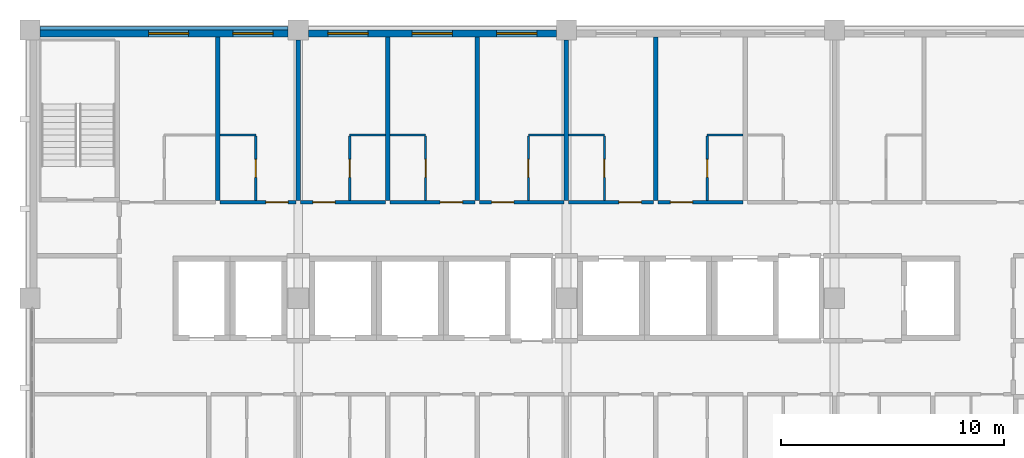
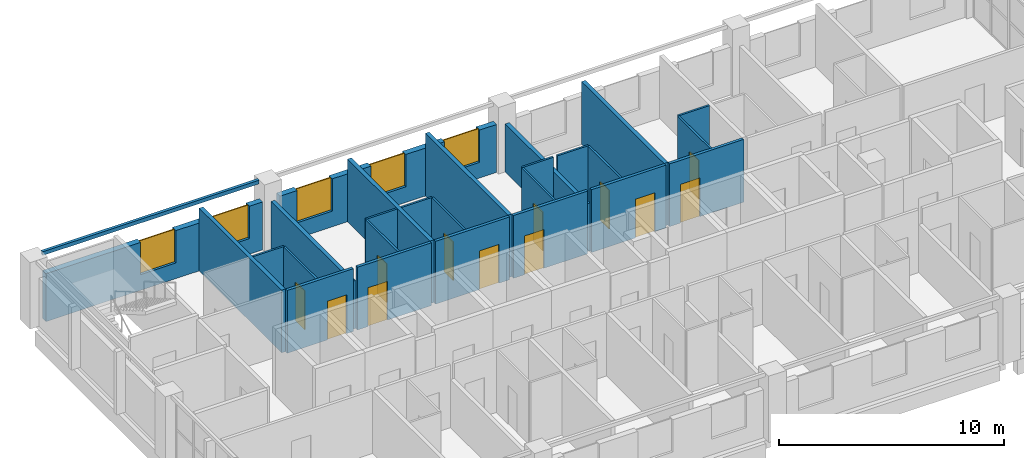
# One storey, part 8 of 11: 27 walls, 12 doors, 5 windows, 17 openings.
"""IFC4 building model written with IfcOpenShell, lengths in metres."""

from ifc_helpers import new_model, si_unit, direction, frame, frame_2d, origin, place, context, subcontext, project, spatial, rectangle, extrude, material, layer, layer_set, type_object, element, fill, save


model = new_model("IFC4")

# Units and contexts
model_context = context("Model", 3, precision=1e-05, world=origin(), true_north=direction((0.0, 1.0)))
body_context = subcontext(model_context, "Body", "Model", "MODEL_VIEW")
ifc_project = project(units=[si_unit("LENGTHUNIT", "METRE"), si_unit("AREAUNIT", "SQUARE_METRE"), si_unit("VOLUMEUNIT", "CUBIC_METRE"), si_unit("PLANEANGLEUNIT", "RADIAN"), si_unit("MASSUNIT", "GRAM", prefix="KILO")], contexts=[model_context])

# Site, building, storey
site_placement = place(None, origin())
site = spatial("IfcSite", under=ifc_project, at=site_placement, CompositionType="ELEMENT")
building_placement = place(site_placement, origin())
building = spatial("IfcBuilding", under=site, at=building_placement, Name="Lilac Gate Convention Centre", CompositionType="ELEMENT")
storey_placement = place(building_placement, frame((0.0, 0.0, 24.60009765625)))
storey = spatial("IfcBuildingStorey", under=building, at=storey_placement, Name="L05", CompositionType="ELEMENT", Elevation=24.60009765625)

# Wall, opening, door
ifc_material_1 = material(Name="Gypsum board on steel stud", Category="steel")
ifc_layer_1 = layer(ifc_material_1, 0.14990234375)
ifc_layer_set_1 = layer_set([ifc_layer_1], Name="Gypsum board on steel stud")
wall_type_1 = type_object("IfcWallType", Name="Corridor wall 150", PredefinedType="PARTITIONING", material=ifc_layer_set_1)
wall_1_placement = place(storey_placement, frame((50.5, 238.300048828125, 0.0), z_axis=(0.0, 0.0, 1.0), x_axis=(1.0, 0.0, 0.0)))
wall_1 = element("IfcWall", 1, at=wall_1_placement, inside=storey, type_object=wall_type_1, Name="Corridor wall 150 front 0512", PredefinedType="PARTITIONING", context=body_context, shape_type="SweptSolid", body=[
    extrude(rectangle(XDim=3.39990234375, YDim=0.14990234375, at=frame_2d((1.699951171875, 0.0))), origin(), (0.0, 0.0, 1.0), 3.39990234375),
])
opening_1_placement = place(wall_1_placement, frame((2.050048828125, 0.0, 0.0)))
opening_1 = element("IfcOpeningElement", 2, at=opening_1_placement, cuts=wall_1, Name="Opening T04-029", PredefinedType="OPENING", context=body_context, shape_type="SweptSolid", body=[
    extrude(rectangle(XDim=1.0, YDim=2.10009765625, at=frame_2d((0.5, 1.050048828125))), frame((0.0, 0.0849609375, 0.0), z_axis=(0.0, -1.0, 0.0), x_axis=(1.0, 0.0, 0.0)), (0.0, 0.0, 1.0), 0.169921875),
])
ifc_material_2 = material(Name="Timber", Category="wood")
door_type_1 = type_object("IfcDoorType", Name="Guest room entrance door 1000", OperationType="SINGLE_SWING_LEFT", PredefinedType="DOOR", material=ifc_material_2)
door_1_placement = place(opening_1_placement, origin())
door_1 = element("IfcDoor", 3, at=door_1_placement, inside=storey, type_object=door_type_1, Name="Guest room door 0512", OperationType="SINGLE_SWING_RIGHT", OverallHeight=2.10009765625, OverallWidth=1.0, PredefinedType="DOOR", context=body_context, shape_type="SweptSolid", body=[
    extrude(rectangle(XDim=1.0, YDim=2.10009765625, at=frame_2d((0.5, 1.050048828125))), frame((0.0, 0.02490234375, 0.0), z_axis=(0.0, -1.0, 0.0), x_axis=(1.0, 0.0, 0.0)), (0.0, 0.0, 1.0), 0.050048828125),
])
fill(opening_1, door_1)

wall_2_placement = place(storey_placement, frame((54.10009765625, 238.300048828125, 0.0), z_axis=(0.0, 0.0, 1.0), x_axis=(1.0, 0.0, 0.0)))
wall_2 = element("IfcWall", 4, at=wall_2_placement, inside=storey, type_object=wall_type_1, Name="Corridor wall 150 front 0513", PredefinedType="PARTITIONING", context=body_context, shape_type="SweptSolid", body=[
    extrude(rectangle(XDim=3.7998046875, YDim=0.14990234375, at=frame_2d((1.89990234375, 0.0))), origin(), (0.0, 0.0, 1.0), 3.39990234375),
])
opening_2_placement = place(wall_2_placement, frame((0.550048828125, 0.0, 0.0)))
opening_2 = element("IfcOpeningElement", 5, at=opening_2_placement, cuts=wall_2, Name="Opening T04-031", PredefinedType="OPENING", context=body_context, shape_type="SweptSolid", body=[
    extrude(rectangle(XDim=1.0, YDim=2.10009765625, at=frame_2d((0.5, 1.050048828125))), frame((0.0, 0.0849609375, 0.0), z_axis=(0.0, -1.0, 0.0), x_axis=(1.0, 0.0, 0.0)), (0.0, 0.0, 1.0), 0.169921875),
])
door_2_placement = place(opening_2_placement, origin())
door_2 = element("IfcDoor", 6, at=door_2_placement, inside=storey, type_object=door_type_1, Name="Guest room door 0513", OperationType="SINGLE_SWING_LEFT", OverallHeight=2.10009765625, OverallWidth=1.0, PredefinedType="DOOR", context=body_context, shape_type="SweptSolid", body=[
    extrude(rectangle(XDim=1.0, YDim=2.10009765625, at=frame_2d((0.5, 1.050048828125))), frame((0.0, 0.02490234375, 0.0), z_axis=(0.0, -1.0, 0.0), x_axis=(1.0, 0.0, 0.0)), (0.0, 0.0, 1.0), 0.050048828125),
])
fill(opening_2, door_2)

wall_3_placement = place(storey_placement, frame((58.10009765625, 238.300048828125, 0.0), z_axis=(0.0, 0.0, 1.0), x_axis=(1.0, 0.0, 0.0)))
wall_3 = element("IfcWall", 7, at=wall_3_placement, inside=storey, type_object=wall_type_1, Name="Corridor wall 150 front 0514", PredefinedType="PARTITIONING", context=body_context, shape_type="SweptSolid", body=[
    extrude(rectangle(XDim=3.7998046875, YDim=0.14990234375, at=frame_2d((1.89990234375, 0.0))), origin(), (0.0, 0.0, 1.0), 3.39990234375),
])
opening_3_placement = place(wall_3_placement, frame((2.25, 0.0, 0.0)))
opening_3 = element("IfcOpeningElement", 8, at=opening_3_placement, cuts=wall_3, Name="Opening T04-033", PredefinedType="OPENING", context=body_context, shape_type="SweptSolid", body=[
    extrude(rectangle(XDim=1.0, YDim=2.10009765625, at=frame_2d((0.5, 1.050048828125))), frame((0.0, 0.0849609375, 0.0), z_axis=(0.0, -1.0, 0.0), x_axis=(1.0, 0.0, 0.0)), (0.0, 0.0, 1.0), 0.169921875),
])
door_3_placement = place(opening_3_placement, origin())
door_3 = element("IfcDoor", 9, at=door_3_placement, inside=storey, type_object=door_type_1, Name="Guest room door 0514", OperationType="SINGLE_SWING_RIGHT", OverallHeight=2.10009765625, OverallWidth=1.0, PredefinedType="DOOR", context=body_context, shape_type="SweptSolid", body=[
    extrude(rectangle(XDim=1.0, YDim=2.10009765625, at=frame_2d((0.5, 1.050048828125))), frame((0.0, 0.02490234375, 0.0), z_axis=(0.0, -1.0, 0.0), x_axis=(1.0, 0.0, 0.0)), (0.0, 0.0, 1.0), 0.050048828125),
])
fill(opening_3, door_3)

wall_4_placement = place(storey_placement, frame((62.10009765625, 238.300048828125, 0.0), z_axis=(0.0, 0.0, 1.0), x_axis=(1.0, 0.0, 0.0)))
wall_4 = element("IfcWall", 10, at=wall_4_placement, inside=storey, type_object=wall_type_1, Name="Corridor wall 150 front 0515", PredefinedType="PARTITIONING", context=body_context, shape_type="SweptSolid", body=[
    extrude(rectangle(XDim=3.7998046875, YDim=0.14990234375, at=frame_2d((1.89990234375, 0.0))), origin(), (0.0, 0.0, 1.0), 3.39990234375),
])
opening_4_placement = place(wall_4_placement, frame((0.550048828125, 0.0, 0.0)))
opening_4 = element("IfcOpeningElement", 11, at=opening_4_placement, cuts=wall_4, Name="Opening T04-035", PredefinedType="OPENING", context=body_context, shape_type="SweptSolid", body=[
    extrude(rectangle(XDim=1.0, YDim=2.10009765625, at=frame_2d((0.5, 1.050048828125))), frame((0.0, 0.0849609375, 0.0), z_axis=(0.0, -1.0, 0.0), x_axis=(1.0, 0.0, 0.0)), (0.0, 0.0, 1.0), 0.169921875),
])
door_4_placement = place(opening_4_placement, origin())
door_4 = element("IfcDoor", 12, at=door_4_placement, inside=storey, type_object=door_type_1, Name="Guest room door 0515", OperationType="SINGLE_SWING_LEFT", OverallHeight=2.10009765625, OverallWidth=1.0, PredefinedType="DOOR", context=body_context, shape_type="SweptSolid", body=[
    extrude(rectangle(XDim=1.0, YDim=2.10009765625, at=frame_2d((0.5, 1.050048828125))), frame((0.0, 0.02490234375, 0.0), z_axis=(0.0, -1.0, 0.0), x_axis=(1.0, 0.0, 0.0)), (0.0, 0.0, 1.0), 0.050048828125),
])
fill(opening_4, door_4)

wall_5_placement = place(storey_placement, frame((66.10009765625, 238.300048828125, 0.0), z_axis=(0.0, 0.0, 1.0), x_axis=(1.0, 0.0, 0.0)))
wall_5 = element("IfcWall", 13, at=wall_5_placement, inside=storey, type_object=wall_type_1, Name="Corridor wall 150 front 0516", PredefinedType="PARTITIONING", context=body_context, shape_type="SweptSolid", body=[
    extrude(rectangle(XDim=3.7998046875, YDim=0.14990234375, at=frame_2d((1.89990234375, 0.0))), origin(), (0.0, 0.0, 1.0), 3.39990234375),
])
opening_5_placement = place(wall_5_placement, frame((2.25, 0.0, 0.0)))
opening_5 = element("IfcOpeningElement", 14, at=opening_5_placement, cuts=wall_5, Name="Opening T04-037", PredefinedType="OPENING", context=body_context, shape_type="SweptSolid", body=[
    extrude(rectangle(XDim=1.0, YDim=2.10009765625, at=frame_2d((0.5, 1.050048828125))), frame((0.0, 0.0849609375, 0.0), z_axis=(0.0, -1.0, 0.0), x_axis=(1.0, 0.0, 0.0)), (0.0, 0.0, 1.0), 0.169921875),
])
door_5_placement = place(opening_5_placement, origin())
door_5 = element("IfcDoor", 15, at=door_5_placement, inside=storey, type_object=door_type_1, Name="Guest room door 0516", OperationType="SINGLE_SWING_LEFT", OverallHeight=2.10009765625, OverallWidth=1.0, PredefinedType="DOOR", context=body_context, shape_type="SweptSolid", body=[
    extrude(rectangle(XDim=1.0, YDim=2.10009765625, at=frame_2d((0.5, 1.050048828125))), frame((0.0, 0.02490234375, 0.0), z_axis=(0.0, -1.0, 0.0), x_axis=(1.0, 0.0, 0.0)), (0.0, 0.0, 1.0), 0.050048828125),
])
fill(opening_5, door_5)

wall_6_placement = place(storey_placement, frame((70.10009765625, 238.300048828125, 0.0), z_axis=(0.0, 0.0, 1.0), x_axis=(1.0, 0.0, 0.0)))
wall_6 = element("IfcWall", 16, at=wall_6_placement, inside=storey, type_object=wall_type_1, Name="Corridor wall 150 front 0517", PredefinedType="PARTITIONING", context=body_context, shape_type="SweptSolid", body=[
    extrude(rectangle(XDim=3.7998046875, YDim=0.14990234375, at=frame_2d((1.89990234375, 0.0))), origin(), (0.0, 0.0, 1.0), 3.39990234375),
])
opening_6_placement = place(wall_6_placement, frame((0.550048828125, 0.0, 0.0)))
opening_6 = element("IfcOpeningElement", 17, at=opening_6_placement, cuts=wall_6, Name="Opening T04-039", PredefinedType="OPENING", context=body_context, shape_type="SweptSolid", body=[
    extrude(rectangle(XDim=1.0, YDim=2.10009765625, at=frame_2d((0.5, 1.050048828125))), frame((0.0, 0.0849609375, 0.0), z_axis=(0.0, -1.0, 0.0), x_axis=(1.0, 0.0, 0.0)), (0.0, 0.0, 1.0), 0.169921875),
])
door_6_placement = place(opening_6_placement, origin())
door_6 = element("IfcDoor", 18, at=door_6_placement, inside=storey, type_object=door_type_1, Name="Guest room door 0517", OperationType="SINGLE_SWING_LEFT", OverallHeight=2.10009765625, OverallWidth=1.0, PredefinedType="DOOR", context=body_context, shape_type="SweptSolid", body=[
    extrude(rectangle(XDim=1.0, YDim=2.10009765625, at=frame_2d((0.5, 1.050048828125))), frame((0.0, 0.02490234375, 0.0), z_axis=(0.0, -1.0, 0.0), x_axis=(1.0, 0.0, 0.0)), (0.0, 0.0, 1.0), 0.050048828125),
])
fill(opening_6, door_6)

# Wall
ifc_layer_2 = layer(ifc_material_1, 0.10009765625)
ifc_layer_set_2 = layer_set([ifc_layer_2], Name="Gypsum board on steel stud")
wall_type_2 = type_object("IfcWallType", Name="En-suite wall 100", PredefinedType="PARTITIONING", material=ifc_layer_set_2)
wall_7_placement = place(storey_placement, frame((50.5, 241.300048828125, 0.0), z_axis=(0.0, 0.0, 1.0), x_axis=(1.0, 0.0, 0.0)))
element("IfcWall", 19, at=wall_7_placement, inside=storey, type_object=wall_type_2, Name="En-suite wall 100 bath 0512", PredefinedType="PARTITIONING", context=body_context, shape_type="SweptSolid", body=[
    extrude(rectangle(XDim=1.60009765625, YDim=0.10009765625, at=frame_2d((0.800048828125, 0.0))), origin(), (0.0, 0.0, 1.0), 3.39990234375),
])

# Wall, opening, door
wall_8_placement = place(storey_placement, frame((52.10009765625, 241.25, 0.0), z_axis=(0.0, 0.0, 1.0), x_axis=(0.0, -1.0, 0.0)))
wall_8 = element("IfcWall", 20, at=wall_8_placement, inside=storey, type_object=wall_type_2, Name="En-suite wall 100 bath side 0512", PredefinedType="PARTITIONING", context=body_context, shape_type="SweptSolid", body=[
    extrude(rectangle(XDim=2.875, YDim=0.10009765625, at=frame_2d((1.4375, 0.0))), origin(), (0.0, 0.0, 1.0), 3.39990234375),
])
opening_7_placement = place(wall_8_placement, frame((1.03759765625, 0.0, 0.0)))
opening_7 = element("IfcOpeningElement", 21, at=opening_7_placement, cuts=wall_8, Name="Opening T04-030", PredefinedType="OPENING", context=body_context, shape_type="SweptSolid", body=[
    extrude(rectangle(XDim=0.800048828125, YDim=2.10009765625, at=frame_2d((0.39990234375, 1.050048828125))), frame((0.0, 0.06005859375, 0.0), z_axis=(0.0, -1.0, 0.0), x_axis=(1.0, 0.0, 0.0)), (0.0, 0.0, 1.0), 0.1201171875),
])
door_type_2 = type_object("IfcDoorType", Name="En-suite door 800", OperationType="SINGLE_SWING_LEFT", PredefinedType="DOOR", material=ifc_material_2)
door_7_placement = place(opening_7_placement, origin())
door_7 = element("IfcDoor", 22, at=door_7_placement, inside=storey, type_object=door_type_2, Name="En-suite door 0512", OperationType="SINGLE_SWING_RIGHT", OverallHeight=2.10009765625, OverallWidth=0.800048828125, PredefinedType="DOOR", context=body_context, shape_type="SweptSolid", body=[
    extrude(rectangle(XDim=0.800048828125, YDim=2.10009765625, at=frame_2d((0.39990234375, 1.050048828125))), frame((0.0, 0.02490234375, 0.0), z_axis=(0.0, -1.0, 0.0), x_axis=(1.0, 0.0, 0.0)), (0.0, 0.0, 1.0), 0.050048828125),
])
fill(opening_7, door_7)

# Wall
wall_9_placement = place(storey_placement, frame((56.300048828125, 241.300048828125, 0.0), z_axis=(0.0, 0.0, 1.0), x_axis=(1.0, 0.0, 0.0)))
element("IfcWall", 23, at=wall_9_placement, inside=storey, type_object=wall_type_2, Name="En-suite wall 100 bath 0513", PredefinedType="PARTITIONING", context=body_context, shape_type="SweptSolid", body=[
    extrude(rectangle(XDim=1.599853515625, YDim=0.10009765625, at=frame_2d((0.7998046875, 0.0))), origin(), (0.0, 0.0, 1.0), 3.39990234375),
])

# Wall, opening, door
wall_10_placement = place(storey_placement, frame((56.300048828125, 238.375, 0.0), z_axis=(0.0, 0.0, 1.0), x_axis=(0.0, 1.0, 0.0)))
wall_10 = element("IfcWall", 24, at=wall_10_placement, inside=storey, type_object=wall_type_2, Name="En-suite wall 100 bath side 0513", PredefinedType="PARTITIONING", context=body_context, shape_type="SweptSolid", body=[
    extrude(rectangle(XDim=2.875, YDim=0.10009765625, at=frame_2d((1.4375, 0.0))), origin(), (0.0, 0.0, 1.0), 3.39990234375),
])
opening_8_placement = place(wall_10_placement, frame((1.03759765625, 0.0, 0.0)))
opening_8 = element("IfcOpeningElement", 25, at=opening_8_placement, cuts=wall_10, Name="Opening T04-032", PredefinedType="OPENING", context=body_context, shape_type="SweptSolid", body=[
    extrude(rectangle(XDim=0.800048828125, YDim=2.10009765625, at=frame_2d((0.39990234375, 1.050048828125))), frame((0.0, 0.06005859375, 0.0), z_axis=(0.0, -1.0, 0.0), x_axis=(1.0, 0.0, 0.0)), (0.0, 0.0, 1.0), 0.1201171875),
])
door_8_placement = place(opening_8_placement, origin())
door_8 = element("IfcDoor", 26, at=door_8_placement, inside=storey, type_object=door_type_2, Name="En-suite door 0513", OperationType="SINGLE_SWING_LEFT", OverallHeight=2.10009765625, OverallWidth=0.800048828125, PredefinedType="DOOR", context=body_context, shape_type="SweptSolid", body=[
    extrude(rectangle(XDim=0.800048828125, YDim=2.10009765625, at=frame_2d((0.39990234375, 1.050048828125))), frame((0.0, 0.02490234375, 0.0), z_axis=(0.0, -1.0, 0.0), x_axis=(1.0, 0.0, 0.0)), (0.0, 0.0, 1.0), 0.050048828125),
])
fill(opening_8, door_8)

# Wall
wall_11_placement = place(storey_placement, frame((58.10009765625, 241.300048828125, 0.0), z_axis=(0.0, 0.0, 1.0), x_axis=(1.0, 0.0, 0.0)))
element("IfcWall", 27, at=wall_11_placement, inside=storey, type_object=wall_type_2, Name="En-suite wall 100 bath 0514", PredefinedType="PARTITIONING", context=body_context, shape_type="SweptSolid", body=[
    extrude(rectangle(XDim=1.599853515625, YDim=0.10009765625, at=frame_2d((0.7998046875, 0.0))), origin(), (0.0, 0.0, 1.0), 3.39990234375),
])

# Wall, opening, door
wall_12_placement = place(storey_placement, frame((59.699951171875, 241.25, 0.0), z_axis=(0.0, 0.0, 1.0), x_axis=(0.0, -1.0, 0.0)))
wall_12 = element("IfcWall", 28, at=wall_12_placement, inside=storey, type_object=wall_type_2, Name="En-suite wall 100 bath side 0514", PredefinedType="PARTITIONING", context=body_context, shape_type="SweptSolid", body=[
    extrude(rectangle(XDim=2.875, YDim=0.10009765625, at=frame_2d((1.4375, 0.0))), origin(), (0.0, 0.0, 1.0), 3.39990234375),
])
opening_9_placement = place(wall_12_placement, frame((1.03759765625, 0.0, 0.0)))
opening_9 = element("IfcOpeningElement", 29, at=opening_9_placement, cuts=wall_12, Name="Opening T04-034", PredefinedType="OPENING", context=body_context, shape_type="SweptSolid", body=[
    extrude(rectangle(XDim=0.800048828125, YDim=2.10009765625, at=frame_2d((0.39990234375, 1.050048828125))), frame((0.0, 0.06005859375, 0.0), z_axis=(0.0, -1.0, 0.0), x_axis=(1.0, 0.0, 0.0)), (0.0, 0.0, 1.0), 0.1201171875),
])
door_9_placement = place(opening_9_placement, origin())
door_9 = element("IfcDoor", 30, at=door_9_placement, inside=storey, type_object=door_type_2, Name="En-suite door 0514", OperationType="SINGLE_SWING_RIGHT", OverallHeight=2.10009765625, OverallWidth=0.800048828125, PredefinedType="DOOR", context=body_context, shape_type="SweptSolid", body=[
    extrude(rectangle(XDim=0.800048828125, YDim=2.10009765625, at=frame_2d((0.39990234375, 1.050048828125))), frame((0.0, 0.02490234375, 0.0), z_axis=(0.0, -1.0, 0.0), x_axis=(1.0, 0.0, 0.0)), (0.0, 0.0, 1.0), 0.050048828125),
])
fill(opening_9, door_9)

# Wall
wall_13_placement = place(storey_placement, frame((64.300048828125, 241.300048828125, 0.0), z_axis=(0.0, 0.0, 1.0), x_axis=(1.0, 0.0, 0.0)))
element("IfcWall", 31, at=wall_13_placement, inside=storey, type_object=wall_type_2, Name="En-suite wall 100 bath 0515", PredefinedType="PARTITIONING", context=body_context, shape_type="SweptSolid", body=[
    extrude(rectangle(XDim=1.599853515625, YDim=0.10009765625, at=frame_2d((0.7998046875, 0.0))), origin(), (0.0, 0.0, 1.0), 3.39990234375),
])

# Wall, opening, door
wall_14_placement = place(storey_placement, frame((64.300048828125, 238.375, 0.0), z_axis=(0.0, 0.0, 1.0), x_axis=(0.0, 1.0, 0.0)))
wall_14 = element("IfcWall", 32, at=wall_14_placement, inside=storey, type_object=wall_type_2, Name="En-suite wall 100 bath side 0515", PredefinedType="PARTITIONING", context=body_context, shape_type="SweptSolid", body=[
    extrude(rectangle(XDim=2.875, YDim=0.10009765625, at=frame_2d((1.4375, 0.0))), origin(), (0.0, 0.0, 1.0), 3.39990234375),
])
opening_10_placement = place(wall_14_placement, frame((1.03759765625, 0.0, 0.0)))
opening_10 = element("IfcOpeningElement", 33, at=opening_10_placement, cuts=wall_14, Name="Opening T04-036", PredefinedType="OPENING", context=body_context, shape_type="SweptSolid", body=[
    extrude(rectangle(XDim=0.800048828125, YDim=2.10009765625, at=frame_2d((0.39990234375, 1.050048828125))), frame((0.0, 0.06005859375, 0.0), z_axis=(0.0, -1.0, 0.0), x_axis=(1.0, 0.0, 0.0)), (0.0, 0.0, 1.0), 0.1201171875),
])
door_10_placement = place(opening_10_placement, origin())
door_10 = element("IfcDoor", 34, at=door_10_placement, inside=storey, type_object=door_type_2, Name="En-suite door 0515", OperationType="SINGLE_SWING_LEFT", OverallHeight=2.10009765625, OverallWidth=0.800048828125, PredefinedType="DOOR", context=body_context, shape_type="SweptSolid", body=[
    extrude(rectangle(XDim=0.800048828125, YDim=2.10009765625, at=frame_2d((0.39990234375, 1.050048828125))), frame((0.0, 0.02490234375, 0.0), z_axis=(0.0, -1.0, 0.0), x_axis=(1.0, 0.0, 0.0)), (0.0, 0.0, 1.0), 0.050048828125),
])
fill(opening_10, door_10)

# Wall
wall_15_placement = place(storey_placement, frame((66.10009765625, 241.300048828125, 0.0), z_axis=(0.0, 0.0, 1.0), x_axis=(1.0, 0.0, 0.0)))
element("IfcWall", 35, at=wall_15_placement, inside=storey, type_object=wall_type_2, Name="En-suite wall 100 bath 0516", PredefinedType="PARTITIONING", context=body_context, shape_type="SweptSolid", body=[
    extrude(rectangle(XDim=1.599853515625, YDim=0.10009765625, at=frame_2d((0.7998046875, 0.0))), origin(), (0.0, 0.0, 1.0), 3.39990234375),
])

# Wall, opening, door
wall_16_placement = place(storey_placement, frame((67.699951171875, 241.25, 0.0), z_axis=(0.0, 0.0, 1.0), x_axis=(0.0, -1.0, 0.0)))
wall_16 = element("IfcWall", 36, at=wall_16_placement, inside=storey, type_object=wall_type_2, Name="En-suite wall 100 bath side 0516", PredefinedType="PARTITIONING", context=body_context, shape_type="SweptSolid", body=[
    extrude(rectangle(XDim=2.875, YDim=0.10009765625, at=frame_2d((1.4375, 0.0))), origin(), (0.0, 0.0, 1.0), 3.39990234375),
])
opening_11_placement = place(wall_16_placement, frame((1.03759765625, 0.0, 0.0)))
opening_11 = element("IfcOpeningElement", 37, at=opening_11_placement, cuts=wall_16, Name="Opening T04-038", PredefinedType="OPENING", context=body_context, shape_type="SweptSolid", body=[
    extrude(rectangle(XDim=0.800048828125, YDim=2.10009765625, at=frame_2d((0.39990234375, 1.050048828125))), frame((0.0, 0.06005859375, 0.0), z_axis=(0.0, -1.0, 0.0), x_axis=(1.0, 0.0, 0.0)), (0.0, 0.0, 1.0), 0.1201171875),
])
door_11_placement = place(opening_11_placement, origin())
door_11 = element("IfcDoor", 38, at=door_11_placement, inside=storey, type_object=door_type_2, Name="En-suite door 0516", OperationType="SINGLE_SWING_RIGHT", OverallHeight=2.10009765625, OverallWidth=0.800048828125, PredefinedType="DOOR", context=body_context, shape_type="SweptSolid", body=[
    extrude(rectangle(XDim=0.800048828125, YDim=2.10009765625, at=frame_2d((0.39990234375, 1.050048828125))), frame((0.0, 0.02490234375, 0.0), z_axis=(0.0, -1.0, 0.0), x_axis=(1.0, 0.0, 0.0)), (0.0, 0.0, 1.0), 0.050048828125),
])
fill(opening_11, door_11)

# Wall
wall_17_placement = place(storey_placement, frame((72.300048828125, 241.300048828125, 0.0), z_axis=(0.0, 0.0, 1.0), x_axis=(1.0, 0.0, 0.0)))
element("IfcWall", 39, at=wall_17_placement, inside=storey, type_object=wall_type_2, Name="En-suite wall 100 bath 0517", PredefinedType="PARTITIONING", context=body_context, shape_type="SweptSolid", body=[
    extrude(rectangle(XDim=1.599853515625, YDim=0.10009765625, at=frame_2d((0.7998046875, 0.0))), origin(), (0.0, 0.0, 1.0), 3.39990234375),
])

# Wall, opening, door
wall_18_placement = place(storey_placement, frame((72.300048828125, 238.375, 0.0), z_axis=(0.0, 0.0, 1.0), x_axis=(0.0, 1.0, 0.0)))
wall_18 = element("IfcWall", 40, at=wall_18_placement, inside=storey, type_object=wall_type_2, Name="En-suite wall 100 bath side 0517", PredefinedType="PARTITIONING", context=body_context, shape_type="SweptSolid", body=[
    extrude(rectangle(XDim=2.875, YDim=0.10009765625, at=frame_2d((1.4375, 0.0))), origin(), (0.0, 0.0, 1.0), 3.39990234375),
])
opening_12_placement = place(wall_18_placement, frame((1.03759765625, 0.0, 0.0)))
opening_12 = element("IfcOpeningElement", 41, at=opening_12_placement, cuts=wall_18, Name="Opening T04-040", PredefinedType="OPENING", context=body_context, shape_type="SweptSolid", body=[
    extrude(rectangle(XDim=0.800048828125, YDim=2.10009765625, at=frame_2d((0.39990234375, 1.050048828125))), frame((0.0, 0.06005859375, 0.0), z_axis=(0.0, -1.0, 0.0), x_axis=(1.0, 0.0, 0.0)), (0.0, 0.0, 1.0), 0.1201171875),
])
door_12_placement = place(opening_12_placement, origin())
door_12 = element("IfcDoor", 42, at=door_12_placement, inside=storey, type_object=door_type_2, Name="En-suite door 0517", OperationType="SINGLE_SWING_LEFT", OverallHeight=2.10009765625, OverallWidth=0.800048828125, PredefinedType="DOOR", context=body_context, shape_type="SweptSolid", body=[
    extrude(rectangle(XDim=0.800048828125, YDim=2.10009765625, at=frame_2d((0.39990234375, 1.050048828125))), frame((0.0, 0.02490234375, 0.0), z_axis=(0.0, -1.0, 0.0), x_axis=(1.0, 0.0, 0.0)), (0.0, 0.0, 1.0), 0.050048828125),
])
fill(opening_12, door_12)

# Walls
ifc_layer_3 = layer(ifc_material_1, 0.199951171875)
ifc_layer_set_3 = layer_set([ifc_layer_3], Name="Gypsum board on steel stud")
wall_type_3 = type_object("IfcWallType", Name="Guest room party wall 200", PredefinedType="PARTITIONING", material=ifc_layer_set_3)
wall_19_placement = place(storey_placement, frame((50.39990234375, 245.7001953125, 0.0), z_axis=(0.0, 0.0, 1.0), x_axis=(0.0, -1.0, 0.0)))
element("IfcWall", 43, at=wall_19_placement, inside=storey, type_object=wall_type_3, Name="Guest room party wall 200 party 50.4", PredefinedType="PARTITIONING", context=body_context, shape_type="SweptSolid", body=[
    extrude(rectangle(XDim=7.3251953125, YDim=0.199951171875, at=frame_2d((3.66259765625, 0.0))), origin(), (0.0, 0.0, 1.0), 3.39990234375),
])
wall_20_placement = place(storey_placement, frame((54.0, 245.550048828125, 0.0), z_axis=(0.0, 0.0, 1.0), x_axis=(0.0, -1.0, 0.0)))
element("IfcWall", 44, at=wall_20_placement, inside=storey, type_object=wall_type_3, Name="Guest room party wall 200 party 54.0", PredefinedType="PARTITIONING", context=body_context, shape_type="SweptSolid", body=[
    extrude(rectangle(XDim=7.175048828125, YDim=0.199951171875, at=frame_2d((3.58740234375, 0.0))), origin(), (0.0, 0.0, 1.0), 2.599853515625),
])
for number, where, z_axis, x_axis, name in (
    (45, (58.0, 245.7001953125, 0.0), (0.0, 0.0, 1.0), (0.0, -1.0, 0.0), "Guest room party wall 200 party 58.0"),
    (46, (62.0, 245.7001953125, 0.0), (0.0, 0.0, 1.0), (0.0, -1.0, 0.0), "Guest room party wall 200 party 62.0"),
):
    element("IfcWall", number, at=place(storey_placement, frame(where, z_axis=z_axis, x_axis=x_axis)), inside=storey, type_object=wall_type_3, Name=name, PredefinedType="PARTITIONING", context=body_context, shape_type="SweptSolid", body=[
        extrude(rectangle(XDim=7.3251953125, YDim=0.199951171875, at=frame_2d((3.66259765625, 0.0))), origin(), (0.0, 0.0, 1.0), 3.39990234375),
    ])
wall_21_placement = place(storey_placement, frame((66.0, 245.550048828125, 0.0), z_axis=(0.0, 0.0, 1.0), x_axis=(0.0, -1.0, 0.0)))
element("IfcWall", 47, at=wall_21_placement, inside=storey, type_object=wall_type_3, Name="Guest room party wall 200 party 66.0", PredefinedType="PARTITIONING", context=body_context, shape_type="SweptSolid", body=[
    extrude(rectangle(XDim=7.175048828125, YDim=0.199951171875, at=frame_2d((3.58740234375, 0.0))), origin(), (0.0, 0.0, 1.0), 2.599853515625),
])
wall_22_placement = place(storey_placement, frame((70.0, 245.7001953125, 0.0), z_axis=(0.0, 0.0, 1.0), x_axis=(0.0, -1.0, 0.0)))
element("IfcWall", 48, at=wall_22_placement, inside=storey, type_object=wall_type_3, Name="Guest room party wall 200 party 70.0", PredefinedType="PARTITIONING", context=body_context, shape_type="SweptSolid", body=[
    extrude(rectangle(XDim=7.3251953125, YDim=0.199951171875, at=frame_2d((3.66259765625, 0.0))), origin(), (0.0, 0.0, 1.0), 3.39990234375),
])
ifc_material_3 = material(Name="Concrete C40 precast", Category="concrete")
ifc_layer_4 = layer(ifc_material_3, 0.1298828125)
ifc_material_4 = material(Name="Ochre mineral render")
ifc_layer_5 = layer(ifc_material_4, 0.02001953125)
ifc_layer_set_4 = layer_set([ifc_layer_4, ifc_layer_5], Name="Concrete C40 precast, Ochre mineral render")
wall_type_4 = type_object("IfcWallType", Name="Precast band ochre 150", PredefinedType="STANDARD", material=ifc_layer_set_4)
wall_23_placement = place(storey_placement, frame((53.550048828125, 246.074951171875, 3.39990234375), z_axis=(0.0, 0.0, 1.0), x_axis=(-1.0, 0.0, 0.0)))
element("IfcWall", 49, at=wall_23_placement, inside=storey, type_object=wall_type_4, Name="Precast band N L05 4", PredefinedType="STANDARD", context=body_context, shape_type="SweptSolid", body=[
    extrude(rectangle(XDim=11.10009765625, YDim=0.14990234375, at=frame_2d((5.550048828125, 0.0))), origin(), (0.0, 0.0, 1.0), 0.199951171875),
])

# Wall, openings, windows
ifc_layer_6 = layer(ifc_material_4, 0.02001953125)
ifc_layer_7 = layer(ifc_material_3, 0.06005859375)
ifc_material_5 = material(Name="Ventilated air cavity")
ifc_layer_8 = layer(ifc_material_5, 0.030029296875)
ifc_material_6 = material(Name="Mineral wool insulation")
ifc_layer_9 = layer(ifc_material_6, 0.1201171875)
ifc_material_7 = material(Name="Steel stud Q345 and gypsum lining", Category="steel")
ifc_layer_10 = layer(ifc_material_7, 0.070068359375)
ifc_layer_set_5 = layer_set([ifc_layer_6, ifc_layer_7, ifc_layer_8, ifc_layer_9, ifc_layer_10], Name="Ochre mineral render, Concrete C40 precast, Ventilated air cavity, Mineral wool insulation, Steel stud Q345 and gypsum lining")
wall_type_5 = type_object("IfcWallType", Name="Precast panel wall ochre 300", PredefinedType="STANDARD", material=ifc_layer_set_5)
wall_24_placement = place(storey_placement, frame((65.550048828125, 245.85009765625, 0.0), z_axis=(0.0, 0.0, 1.0), x_axis=(-1.0, 0.0, 0.0)))
wall_24 = element("IfcWall", 50, at=wall_24_placement, inside=storey, type_object=wall_type_5, Name="External wall N L05 3", PredefinedType="STANDARD", context=body_context, shape_type="SweptSolid", body=[
    extrude(rectangle(XDim=11.10009765625, YDim=0.300048828125, at=frame_2d((5.550048828125, 0.0))), origin(), (0.0, 0.0, 1.0), 2.599853515625),
])
opening_13_placement = place(wall_24_placement, frame((8.425048828125, 0.0, 0.85009765625)))
opening_13 = element("IfcOpeningElement", 51, at=opening_13_placement, cuts=wall_24, Name="Opening W1", PredefinedType="OPENING", context=body_context, shape_type="SweptSolid", body=[
    extrude(rectangle(XDim=1.800048828125, YDim=1.75, at=frame_2d((0.89990234375, 0.875))), frame((0.0, 0.159912109375, 0.0), z_axis=(0.0, -1.0, 0.0), x_axis=(1.0, 0.0, 0.0)), (0.0, 0.0, 1.0), 0.320068359375),
])
opening_14_placement = place(wall_24_placement, frame((4.64990234375, 0.0, 0.85009765625)))
opening_14 = element("IfcOpeningElement", 52, at=opening_14_placement, cuts=wall_24, Name="Opening W1", PredefinedType="OPENING", context=body_context, shape_type="SweptSolid", body=[
    extrude(rectangle(XDim=1.800048828125, YDim=1.75, at=frame_2d((0.89990234375, 0.875))), frame((0.0, 0.159912109375, 0.0), z_axis=(0.0, -1.0, 0.0), x_axis=(1.0, 0.0, 0.0)), (0.0, 0.0, 1.0), 0.320068359375),
])
opening_15_placement = place(wall_24_placement, frame((0.875, 0.0, 0.85009765625)))
opening_15 = element("IfcOpeningElement", 53, at=opening_15_placement, cuts=wall_24, Name="Opening W1", PredefinedType="OPENING", context=body_context, shape_type="SweptSolid", body=[
    extrude(rectangle(XDim=1.800048828125, YDim=1.75, at=frame_2d((0.89990234375, 0.875))), frame((0.0, 0.159912109375, 0.0), z_axis=(0.0, -1.0, 0.0), x_axis=(1.0, 0.0, 0.0)), (0.0, 0.0, 1.0), 0.320068359375),
])
ifc_material_8 = material(Name="Aluminium framed double glazing", Category="aluminium")
window_type = type_object("IfcWindowType", Name="Guest room window 1800 x 1750", PartitioningType="DOUBLE_PANEL_VERTICAL", PredefinedType="WINDOW", material=ifc_material_8)
window_1_placement = place(opening_13_placement, origin())
window_1 = element("IfcWindow", 54, at=window_1_placement, inside=storey, type_object=window_type, Name="Window Guest N L05", OverallHeight=1.75, OverallWidth=1.800048828125, PartitioningType="SINGLE_PANEL", PredefinedType="WINDOW", context=body_context, shape_type="SweptSolid", body=[
    extrude(rectangle(XDim=1.800048828125, YDim=1.75, at=frame_2d((0.89990234375, 0.875))), frame((0.0, 0.030029296875, 0.0), z_axis=(0.0, -1.0, 0.0), x_axis=(1.0, 0.0, 0.0)), (0.0, 0.0, 1.0), 0.06005859375),
])
fill(opening_13, window_1)
window_2_placement = place(opening_14_placement, origin())
window_2 = element("IfcWindow", 55, at=window_2_placement, inside=storey, type_object=window_type, Name="Window Guest N L05", OverallHeight=1.75, OverallWidth=1.800048828125, PartitioningType="SINGLE_PANEL", PredefinedType="WINDOW", context=body_context, shape_type="SweptSolid", body=[
    extrude(rectangle(XDim=1.800048828125, YDim=1.75, at=frame_2d((0.89990234375, 0.875))), frame((0.0, 0.030029296875, 0.0), z_axis=(0.0, -1.0, 0.0), x_axis=(1.0, 0.0, 0.0)), (0.0, 0.0, 1.0), 0.06005859375),
])
fill(opening_14, window_2)
window_3_placement = place(opening_15_placement, origin())
window_3 = element("IfcWindow", 56, at=window_3_placement, inside=storey, type_object=window_type, Name="Window Guest N L05", OverallHeight=1.75, OverallWidth=1.800048828125, PartitioningType="SINGLE_PANEL", PredefinedType="WINDOW", context=body_context, shape_type="SweptSolid", body=[
    extrude(rectangle(XDim=1.800048828125, YDim=1.75, at=frame_2d((0.89990234375, 0.875))), frame((0.0, 0.030029296875, 0.0), z_axis=(0.0, -1.0, 0.0), x_axis=(1.0, 0.0, 0.0)), (0.0, 0.0, 1.0), 0.06005859375),
])
fill(opening_15, window_3)

wall_25_placement = place(storey_placement, frame((53.550048828125, 245.85009765625, 0.0), z_axis=(0.0, 0.0, 1.0), x_axis=(-1.0, 0.0, 0.0)))
wall_25 = element("IfcWall", 57, at=wall_25_placement, inside=storey, type_object=wall_type_5, Name="External wall N L05 4", PredefinedType="STANDARD", context=body_context, shape_type="SweptSolid", body=[
    extrude(rectangle(XDim=11.10009765625, YDim=0.300048828125, at=frame_2d((5.550048828125, 0.0))), origin(), (0.0, 0.0, 1.0), 2.599853515625),
])
opening_16_placement = place(wall_25_placement, frame((4.449951171875, 0.0, 0.85009765625)))
opening_16 = element("IfcOpeningElement", 58, at=opening_16_placement, cuts=wall_25, Name="Opening W1", PredefinedType="OPENING", context=body_context, shape_type="SweptSolid", body=[
    extrude(rectangle(XDim=1.800048828125, YDim=1.75, at=frame_2d((0.89990234375, 0.875))), frame((0.0, 0.159912109375, 0.0), z_axis=(0.0, -1.0, 0.0), x_axis=(1.0, 0.0, 0.0)), (0.0, 0.0, 1.0), 0.320068359375),
])
opening_17_placement = place(wall_25_placement, frame((0.675048828125, 0.0, 0.85009765625)))
opening_17 = element("IfcOpeningElement", 59, at=opening_17_placement, cuts=wall_25, Name="Opening W1", PredefinedType="OPENING", context=body_context, shape_type="SweptSolid", body=[
    extrude(rectangle(XDim=1.800048828125, YDim=1.75, at=frame_2d((0.89990234375, 0.875))), frame((0.0, 0.159912109375, 0.0), z_axis=(0.0, -1.0, 0.0), x_axis=(1.0, 0.0, 0.0)), (0.0, 0.0, 1.0), 0.320068359375),
])
window_4_placement = place(opening_16_placement, origin())
window_4 = element("IfcWindow", 60, at=window_4_placement, inside=storey, type_object=window_type, Name="Window Guest N L05", OverallHeight=1.75, OverallWidth=1.800048828125, PartitioningType="SINGLE_PANEL", PredefinedType="WINDOW", context=body_context, shape_type="SweptSolid", body=[
    extrude(rectangle(XDim=1.800048828125, YDim=1.75, at=frame_2d((0.89990234375, 0.875))), frame((0.0, 0.030029296875, 0.0), z_axis=(0.0, -1.0, 0.0), x_axis=(1.0, 0.0, 0.0)), (0.0, 0.0, 1.0), 0.06005859375),
])
fill(opening_16, window_4)
window_5_placement = place(opening_17_placement, origin())
window_5 = element("IfcWindow", 61, at=window_5_placement, inside=storey, type_object=window_type, Name="Window Guest N L05", OverallHeight=1.75, OverallWidth=1.800048828125, PartitioningType="SINGLE_PANEL", PredefinedType="WINDOW", context=body_context, shape_type="SweptSolid", body=[
    extrude(rectangle(XDim=1.800048828125, YDim=1.75, at=frame_2d((0.89990234375, 0.875))), frame((0.0, 0.030029296875, 0.0), z_axis=(0.0, -1.0, 0.0), x_axis=(1.0, 0.0, 0.0)), (0.0, 0.0, 1.0), 0.06005859375),
])
fill(opening_17, window_5)

save(model, "model.ifc")
